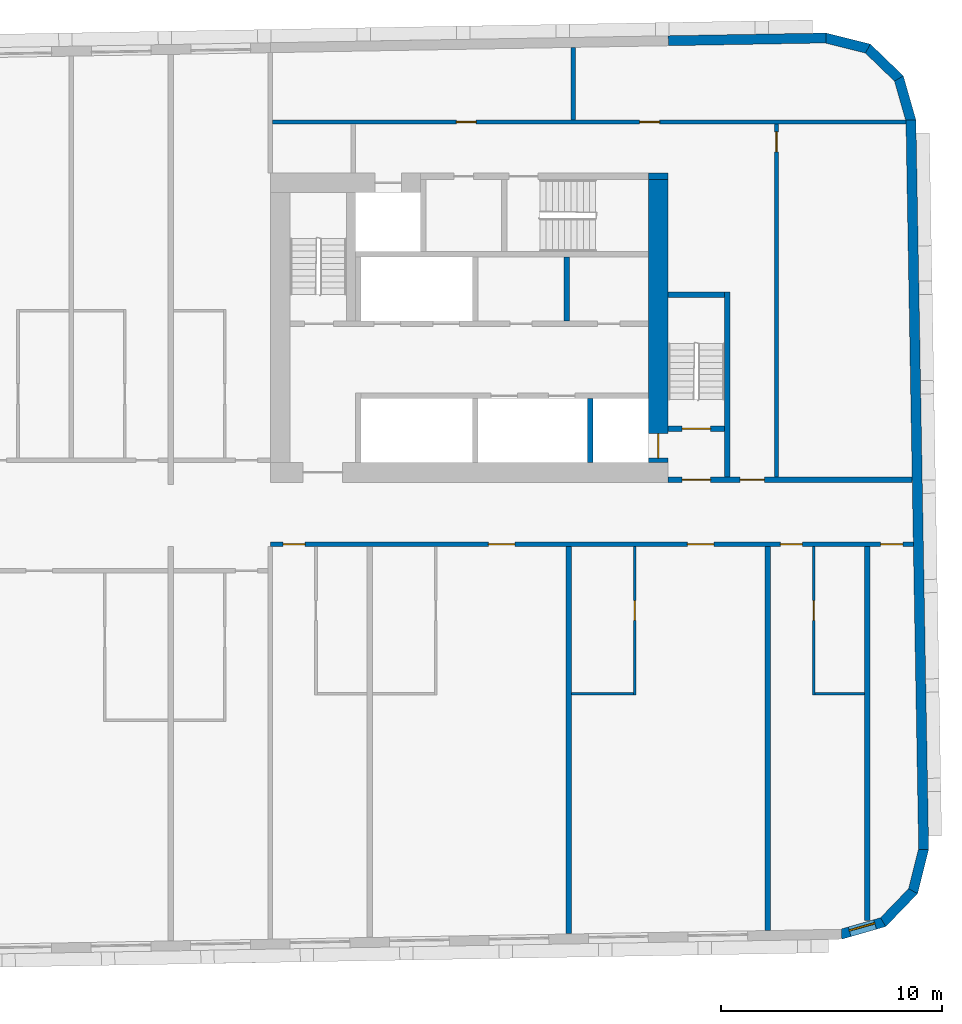
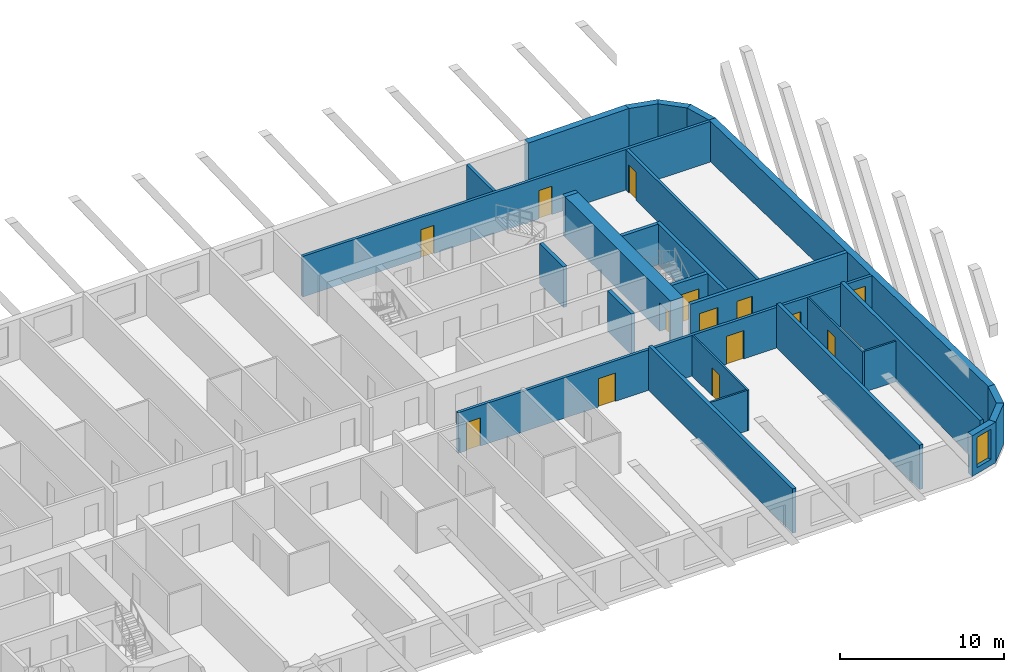
# One storey, part 7 of 12: 27 walls, 14 doors, 1 window, 15 openings.
"""IFC4 building model written with IfcOpenShell, lengths in metres."""

from ifc_helpers import new_model, si_unit, direction, frame, frame_2d, origin, place, context, subcontext, project, spatial, polyline, rectangle, outline, extrude, material, layer, layer_set, type_object, element, fill, save


model = new_model("IFC4")

# Units and contexts
model_context = context("Model", 3, precision=1e-05, world=origin(), true_north=direction((0.0, 1.0)))
body_context = subcontext(model_context, "Body", "Model", "MODEL_VIEW")
ifc_project = project(units=[si_unit("LENGTHUNIT", "METRE"), si_unit("AREAUNIT", "SQUARE_METRE"), si_unit("VOLUMEUNIT", "CUBIC_METRE"), si_unit("PLANEANGLEUNIT", "RADIAN"), si_unit("MASSUNIT", "GRAM", prefix="KILO")], contexts=[model_context])

# Site, building, storey
site_placement = place(None, origin())
site = spatial("IfcSite", under=ifc_project, at=site_placement, CompositionType="ELEMENT")
building_placement = place(site_placement, origin())
building = spatial("IfcBuilding", under=site, at=building_placement, Name="Kajstack Hotel Tower", CompositionType="ELEMENT")
storey_placement = place(building_placement, frame((0.0, 0.0, 217.699951171875)))
storey = spatial("IfcBuildingStorey", under=building, at=storey_placement, Name="L52", CompositionType="ELEMENT", Elevation=217.699951171875)

# Wall
ifc_material_1 = material(Name="Concrete C60/75", Category="concrete")
ifc_layer_1 = layer(ifc_material_1, 0.89990234375)
ifc_layer_set_1 = layer_set([ifc_layer_1], Name="Core wall 900")
wall_type_1 = type_object("IfcWallType", Name="Core wall 900", PredefinedType="SHEAR", material=ifc_layer_set_1)
wall_1_placement = place(storey_placement, frame((30.60009765625, 15.35009765625, 0.0), z_axis=(0.0, 0.0, 1.0), x_axis=(1.0, 0.0, 0.0)))
element("IfcWall", 1, at=wall_1_placement, inside=storey, type_object=wall_type_1, Name="Core wall E RSW", PredefinedType="SHEAR", context=body_context, shape_type="SweptSolid", body=[
    extrude(rectangle(XDim=0.89990234375, YDim=0.300048828125, at=frame_2d((0.449951171875, 0.0))), origin(), (0.0, 0.0, 1.0), 3.02001953125),
])

# Wall, opening, door
wall_2_placement = place(storey_placement, frame((31.050048828125, 2.39990234375, 0.0), z_axis=(0.0, 0.0, 1.0), x_axis=(0.0, 1.0, 0.0)))
wall_2 = element("IfcWall", 2, at=wall_2_placement, inside=storey, type_object=wall_type_1, Name="Core wall E RW", PredefinedType="SHEAR", context=body_context, shape_type="SweptSolid", body=[
    extrude(rectangle(XDim=12.800048828125, YDim=0.89990234375, at=frame_2d((6.39990234375, 0.0))), origin(), (0.0, 0.0, 1.0), 3.02001953125),
])
opening_1_placement = place(wall_2_placement, frame((0.199951171875, 0.0, 0.0)))
opening_1 = element("IfcOpeningElement", 3, at=opening_1_placement, cuts=wall_2, Name="Opening LD-FF2", PredefinedType="OPENING", context=body_context, shape_type="SweptSolid", body=[
    extrude(rectangle(XDim=1.10009765625, YDim=2.10009765625, at=frame_2d((0.550048828125, 1.050048828125))), frame((0.0, 0.4599609375, 0.0), z_axis=(0.0, -1.0, 0.0), x_axis=(1.0, 0.0, 0.0)), (0.0, 0.0, 1.0), 0.919921875),
])
ifc_material_2 = material(Name="Stainless steel", Category="steel")
door_type_1 = type_object("IfcDoorType", Name="Fire-fighting lift landing door 1100", OperationType="SLIDING_TO_LEFT", PredefinedType="DOOR", material=ifc_material_2)
door_1_placement = place(opening_1_placement, origin())
door_1 = element("IfcDoor", 4, at=door_1_placement, inside=storey, type_object=door_type_1, Name="Landing door FF2", OperationType="SLIDING_TO_LEFT", OverallHeight=2.10009765625, OverallWidth=1.10009765625, PredefinedType="DOOR", context=body_context, shape_type="SweptSolid", body=[
    extrude(rectangle(XDim=1.10009765625, YDim=2.10009765625, at=frame_2d((0.550048828125, 1.050048828125))), frame((0.0, 0.02490234375, 0.0), z_axis=(0.0, -1.0, 0.0), x_axis=(1.0, 0.0, 0.0)), (0.0, 0.0, 1.0), 0.050048828125),
])
fill(opening_1, door_1)

# Wall, openings, doors
ifc_material_3 = material(Name="Gypsum board on steel studs, mineral wool", Category="steel")
ifc_layer_2 = layer(ifc_material_3, 0.199951171875)
ifc_layer_set_2 = layer_set([ifc_layer_2], Name="Corridor wall 200")
wall_type_2 = type_object("IfcWallType", Name="Corridor wall 200", PredefinedType="PARTITIONING", material=ifc_layer_set_2)
wall_3_placement = place(storey_placement, frame((13.5, -1.300048828125, 0.0), z_axis=(0.0, 0.0, 1.0), x_axis=(1.0, 0.0, 0.0)))
wall_3 = element("IfcWall", 5, at=wall_3_placement, inside=storey, type_object=wall_type_2, Name="G-wall-L52-030", PredefinedType="PARTITIONING", context=body_context, shape_type="SweptSolid", body=[
    extrude(rectangle(XDim=29.091064453125, YDim=0.199951171875, at=frame_2d((14.54541015625, 0.0))), origin(), (0.0, 0.0, 1.0), 3.02001953125),
])
opening_2_placement = place(wall_3_placement, frame((0.574951171875, 0.0, 0.0)))
opening_2 = element("IfcOpeningElement", 6, at=opening_2_placement, cuts=wall_3, Name="Opening 52029", PredefinedType="OPENING", context=body_context, shape_type="SweptSolid", body=[
    extrude(rectangle(XDim=1.0, YDim=2.10009765625, at=frame_2d((0.5, 1.050048828125))), frame((0.0, 0.10986328125, 0.0), z_axis=(0.0, -1.0, 0.0), x_axis=(1.0, 0.0, 0.0)), (0.0, 0.0, 1.0), 0.219970703125),
])
opening_3_placement = place(wall_3_placement, frame((9.862060546875, 0.0, 0.0)))
opening_3 = element("IfcOpeningElement", 7, at=opening_3_placement, cuts=wall_3, Name="Opening 52031", PredefinedType="OPENING", context=body_context, shape_type="SweptSolid", body=[
    extrude(rectangle(XDim=1.199951171875, YDim=2.10009765625, at=frame_2d((0.60009765625, 1.050048828125))), frame((0.0, 0.10986328125, 0.0), z_axis=(0.0, -1.0, 0.0), x_axis=(1.0, 0.0, 0.0)), (0.0, 0.0, 1.0), 0.219970703125),
])
opening_4_placement = place(wall_3_placement, frame((18.862060546875, 0.0, 0.0)))
opening_4 = element("IfcOpeningElement", 8, at=opening_4_placement, cuts=wall_3, Name="Opening 52033", PredefinedType="OPENING", context=body_context, shape_type="SweptSolid", body=[
    extrude(rectangle(XDim=1.199951171875, YDim=2.10009765625, at=frame_2d((0.60009765625, 1.050048828125))), frame((0.0, 0.10986328125, 0.0), z_axis=(0.0, -1.0, 0.0), x_axis=(1.0, 0.0, 0.0)), (0.0, 0.0, 1.0), 0.219970703125),
])
opening_5_placement = place(wall_3_placement, frame((23.074951171875, 0.0, 0.0)))
opening_5 = element("IfcOpeningElement", 9, at=opening_5_placement, cuts=wall_3, Name="Opening 52035", PredefinedType="OPENING", context=body_context, shape_type="SweptSolid", body=[
    extrude(rectangle(XDim=1.0, YDim=2.10009765625, at=frame_2d((0.5, 1.050048828125))), frame((0.0, 0.10986328125, 0.0), z_axis=(0.0, -1.0, 0.0), x_axis=(1.0, 0.0, 0.0)), (0.0, 0.0, 1.0), 0.219970703125),
])
opening_6_placement = place(wall_3_placement, frame((27.611083984375, 0.0, 0.0)))
opening_6 = element("IfcOpeningElement", 10, at=opening_6_placement, cuts=wall_3, Name="Opening 52037", PredefinedType="OPENING", context=body_context, shape_type="SweptSolid", body=[
    extrude(rectangle(XDim=1.0, YDim=2.39990234375, at=frame_2d((0.5, 1.199951171875))), frame((0.0, 0.10986328125, 0.0), z_axis=(0.0, -1.0, 0.0), x_axis=(1.0, 0.0, 0.0)), (0.0, 0.0, 1.0), 0.219970703125),
])
ifc_material_4 = material(Name="Oak veneer on timber core, fire-rated leaf", Category="wood")
door_type_2 = type_object("IfcDoorType", Name="Flat entrance door 1000", OperationType="SINGLE_SWING_LEFT", PredefinedType="DOOR", material=ifc_material_4)
door_2_placement = place(opening_2_placement, origin())
door_2 = element("IfcDoor", 11, at=door_2_placement, inside=storey, type_object=door_type_2, Name="G-door-L52-29", OperationType="SINGLE_SWING_LEFT", OverallHeight=2.10009765625, OverallWidth=1.0, PredefinedType="DOOR", context=body_context, shape_type="SweptSolid", body=[
    extrude(rectangle(XDim=1.0, YDim=2.10009765625, at=frame_2d((0.5, 1.050048828125))), frame((0.0, 0.02490234375, 0.0), z_axis=(0.0, -1.0, 0.0), x_axis=(1.0, 0.0, 0.0)), (0.0, 0.0, 1.0), 0.050048828125),
])
fill(opening_2, door_2)
door_3_placement = place(opening_5_placement, origin())
door_3 = element("IfcDoor", 12, at=door_3_placement, inside=storey, type_object=door_type_2, Name="G-door-L52-35", OperationType="SINGLE_SWING_LEFT", OverallHeight=2.10009765625, OverallWidth=1.0, PredefinedType="DOOR", context=body_context, shape_type="SweptSolid", body=[
    extrude(rectangle(XDim=1.0, YDim=2.10009765625, at=frame_2d((0.5, 1.050048828125))), frame((0.0, 0.02490234375, 0.0), z_axis=(0.0, -1.0, 0.0), x_axis=(1.0, 0.0, 0.0)), (0.0, 0.0, 1.0), 0.050048828125),
])
fill(opening_5, door_3)
door_type_3 = type_object("IfcDoorType", Name="Flat entrance door 1200", OperationType="SINGLE_SWING_LEFT", PredefinedType="DOOR", material=ifc_material_4)
door_4_placement = place(opening_3_placement, origin())
door_4 = element("IfcDoor", 13, at=door_4_placement, inside=storey, type_object=door_type_3, Name="G-door-L52-31", OperationType="SINGLE_SWING_LEFT", OverallHeight=2.10009765625, OverallWidth=1.199951171875, PredefinedType="DOOR", context=body_context, shape_type="SweptSolid", body=[
    extrude(rectangle(XDim=1.199951171875, YDim=2.10009765625, at=frame_2d((0.60009765625, 1.050048828125))), frame((0.0, 0.02490234375, 0.0), z_axis=(0.0, -1.0, 0.0), x_axis=(1.0, 0.0, 0.0)), (0.0, 0.0, 1.0), 0.050048828125),
])
fill(opening_3, door_4)
door_5_placement = place(opening_4_placement, origin())
door_5 = element("IfcDoor", 14, at=door_5_placement, inside=storey, type_object=door_type_3, Name="G-door-L52-33", OperationType="SINGLE_SWING_LEFT", OverallHeight=2.10009765625, OverallWidth=1.199951171875, PredefinedType="DOOR", context=body_context, shape_type="SweptSolid", body=[
    extrude(rectangle(XDim=1.199951171875, YDim=2.10009765625, at=frame_2d((0.60009765625, 1.050048828125))), frame((0.0, 0.02490234375, 0.0), z_axis=(0.0, -1.0, 0.0), x_axis=(1.0, 0.0, 0.0)), (0.0, 0.0, 1.0), 0.050048828125),
])
fill(opening_4, door_5)
ifc_material_5 = material(Name="Steel-faced door leaf, fire-rated", Category="steel")
door_type_4 = type_object("IfcDoorType", Name="Store door 1000", OperationType="SINGLE_SWING_LEFT", PredefinedType="DOOR", material=ifc_material_5)
door_6_placement = place(opening_6_placement, origin())
door_6 = element("IfcDoor", 15, at=door_6_placement, inside=storey, type_object=door_type_4, Name="G-door-L52-37", OperationType="SINGLE_SWING_LEFT", OverallHeight=2.39990234375, OverallWidth=1.0, PredefinedType="DOOR", context=body_context, shape_type="SweptSolid", body=[
    extrude(rectangle(XDim=1.0, YDim=2.39990234375, at=frame_2d((0.5, 1.199951171875))), frame((0.0, 0.02490234375, 0.0), z_axis=(0.0, -1.0, 0.0), x_axis=(1.0, 0.0, 0.0)), (0.0, 0.0, 1.0), 0.050048828125),
])
fill(opening_6, door_6)

# Wall, opening, window
ifc_material_6 = material(Name="Terracotta-faced brick masonry", Category="masonry")
ifc_layer_3 = layer(ifc_material_6, 0.449951171875)
ifc_layer_set_3 = layer_set([ifc_layer_3], Name="EW-TERRA")
wall_type_3 = type_object("IfcWallType", Name="EW-TERRA", PredefinedType="SOLIDWALL", material=ifc_layer_set_3)
wall_4_placement = place(storey_placement, frame((39.290283203125, -18.952392578125, 0.0), z_axis=(0.0, 0.0, 1.0), x_axis=(0.961247584925, 0.275686562016, 0.0)))
wall_4 = element("IfcWall", 16, at=wall_4_placement, inside=storey, type_object=wall_type_3, Name="E-wall-L52-05-00", PredefinedType="SOLIDWALL", context=body_context, shape_type="SweptSolid", body=[
    extrude(outline(polyline([(0.0, -0.224853515625), (2.070556640625, -0.22509765625), (1.949951171875, 0.224853515625), (0.12060546875, 0.22509765625), (0.0, -0.224853515625)])), origin(), (0.0, 0.0, 1.0), 3.02001953125),
])
opening_7_placement = place(wall_4_placement, frame((0.435302734375, 0.0, 0.449951171875)))
opening_7 = element("IfcOpeningElement", 17, at=opening_7_placement, cuts=wall_4, Name="Opening W3", PredefinedType="OPENING", context=body_context, shape_type="SweptSolid", body=[
    extrude(rectangle(XDim=1.199951171875, YDim=2.25, at=frame_2d((0.60009765625, 1.125))), frame((0.0, 0.23486328125, 0.0), z_axis=(0.0, -1.0, 0.0), x_axis=(1.0, 0.0, 0.0)), (0.0, 0.0, 1.0), 0.469970703125),
])
ifc_material_7 = material(Name="Timber-aluminium window, triple glazed", Category="wood")
window_type = type_object("IfcWindowType", Name="WG3", PartitioningType="SINGLE_PANEL", PredefinedType="WINDOW", material=ifc_material_7)
window_placement = place(opening_7_placement, origin())
window = element("IfcWindow", 18, at=window_placement, inside=storey, type_object=window_type, Name="Window W3 L52-05", OverallHeight=2.25, OverallWidth=1.199951171875, PartitioningType="SINGLE_PANEL", PredefinedType="WINDOW", context=body_context, shape_type="SweptSolid", body=[
    extrude(rectangle(XDim=1.199951171875, YDim=2.25, at=frame_2d((0.60009765625, 1.125))), frame((0.0, 0.090087890625, 0.0), z_axis=(0.0, -1.0, 0.0), x_axis=(1.0, 0.0, 0.0)), (0.0, 0.0, 1.0), 0.06005859375),
])
fill(opening_7, window)

# Walls
wall_5_placement = place(storey_placement, frame((41.1806640625, -18.441650390625, 0.0), z_axis=(0.0, 0.0, 1.0), x_axis=(0.694678672846, 0.719320193998, 0.0)))
element("IfcWall", 19, at=wall_5_placement, inside=storey, type_object=wall_type_3, Name="E-wall-L52-06-00", PredefinedType="SOLIDWALL", context=body_context, shape_type="SweptSolid", body=[
    extrude(outline(polyline([(0.0, -0.22509765625), (2.07080078125, -0.224853515625), (1.9501953125, 0.22509765625), (0.12060546875, 0.22509765625), (0.0, -0.22509765625)])), origin(), (0.0, 0.0, 1.0), 3.02001953125),
])
wall_6_placement = place(storey_placement, frame((42.562744140625, -17.053955078125, 0.0), z_axis=(0.0, 0.0, 1.0), x_axis=(0.241841950319, 0.970315655375, 0.0)))
element("IfcWall", 20, at=wall_6_placement, inside=storey, type_object=wall_type_3, Name="E-wall-L52-07-00", PredefinedType="SOLIDWALL", context=body_context, shape_type="SweptSolid", body=[
    extrude(outline(polyline([(0.0, -0.224853515625), (2.070556640625, -0.22509765625), (1.949951171875, 0.224853515625), (0.12060546875, 0.22509765625), (0.0, -0.224853515625)])), origin(), (0.0, 0.0, 1.0), 3.02001953125),
])
wall_7_placement = place(storey_placement, frame((43.056884765625, -15.103271484375, 0.0), z_axis=(0.0, 0.0, 1.0), x_axis=(-0.017452408953, 0.999847695112, 0.0)))
element("IfcWall", 21, at=wall_7_placement, inside=storey, type_object=wall_type_3, Name="E-wall-L52-08-00", PredefinedType="SOLIDWALL", context=body_context, shape_type="SweptSolid", body=[
    extrude(rectangle(XDim=33.0, YDim=0.449951171875, at=frame_2d((16.5, 0.0))), origin(), (0.0, 0.0, 1.0), 3.02001953125),
])
wall_8_placement = place(storey_placement, frame((42.489501953125, 17.83349609375, 0.0), z_axis=(0.0, 0.0, 1.0), x_axis=(-0.275546368831, 0.961287781377, 0.0)))
element("IfcWall", 22, at=wall_8_placement, inside=storey, type_object=wall_type_3, Name="E-wall-L52-09-00", PredefinedType="SOLIDWALL", context=body_context, shape_type="SweptSolid", body=[
    extrude(outline(polyline([(0.0, -0.22509765625), (2.070556640625, -0.224853515625), (1.949951171875, 0.22509765625), (0.12060546875, 0.224853515625), (0.0, -0.22509765625)])), origin(), (0.0, 0.0, 1.0), 3.02001953125),
])
wall_9_placement = place(storey_placement, frame((41.97900390625, 19.72412109375, 0.0), z_axis=(0.0, 0.0, 1.0), x_axis=(-0.719379111448, 0.694617660308, 0.0)))
element("IfcWall", 23, at=wall_9_placement, inside=storey, type_object=wall_type_3, Name="E-wall-L52-10-00", PredefinedType="SOLIDWALL", context=body_context, shape_type="SweptSolid", body=[
    extrude(outline(polyline([(0.0, -0.224853515625), (2.070556640625, -0.22509765625), (1.949951171875, 0.224853515625), (0.12060546875, 0.22509765625), (0.0, -0.224853515625)])), origin(), (0.0, 0.0, 1.0), 3.02001953125),
])
wall_10_placement = place(storey_placement, frame((40.59130859375, 21.10595703125, 0.0), z_axis=(0.0, 0.0, 1.0), x_axis=(-0.970287979719, 0.241952963225, 0.0)))
element("IfcWall", 24, at=wall_10_placement, inside=storey, type_object=wall_type_3, Name="E-wall-L52-11-00", PredefinedType="SOLIDWALL", context=body_context, shape_type="SweptSolid", body=[
    extrude(outline(polyline([(0.0, -0.22509765625), (2.070556640625, -0.224853515625), (1.949951171875, 0.22509765625), (0.12060546875, 0.224853515625), (0.0, -0.22509765625)])), origin(), (0.0, 0.0, 1.0), 3.02001953125),
])
wall_11_placement = place(storey_placement, frame((38.640625, 21.600341796875, 0.0), z_axis=(0.0, 0.0, 1.0), x_axis=(-0.999847245074, -0.017478172627, 0.0)))
element("IfcWall", 25, at=wall_11_placement, inside=storey, type_object=wall_type_3, Name="E-wall-L52-12-00", PredefinedType="SOLIDWALL", context=body_context, shape_type="SweptSolid", body=[
    extrude(rectangle(XDim=7.1376953125, YDim=0.449951171875, at=frame_2d((3.56884765625, 0.0))), origin(), (0.0, 0.0, 1.0), 3.02001953125),
])

# Wall, opening, door
ifc_material_8 = material(Name="Gypsum board and tiled backer on steel studs", Category="steel")
ifc_layer_4 = layer(ifc_material_8, 0.125)
ifc_layer_set_4 = layer_set([ifc_layer_4], Name="En-suite wall 125")
wall_type_4 = type_object("IfcWallType", Name="En-suite wall 125", PredefinedType="PARTITIONING", material=ifc_layer_set_4)
wall_12_placement = place(storey_placement, frame((29.988037109375, -8.125, 0.0), z_axis=(0.0, 0.0, 1.0), x_axis=(0.0, 1.0, 0.0)))
wall_12 = element("IfcWall", 26, at=wall_12_placement, inside=storey, type_object=wall_type_4, Name="G-wall-L52-044", PredefinedType="PARTITIONING", context=body_context, shape_type="SweptSolid", body=[
    extrude(rectangle(XDim=6.72509765625, YDim=0.125, at=frame_2d((3.362548828125, 0.0))), origin(), (0.0, 0.0, 1.0), 3.02001953125),
])
opening_8_placement = place(wall_12_placement, frame((3.375, 0.0, 0.0)))
opening_8 = element("IfcOpeningElement", 27, at=opening_8_placement, cuts=wall_12, Name="Opening 52034", PredefinedType="OPENING", context=body_context, shape_type="SweptSolid", body=[
    extrude(rectangle(XDim=0.89990234375, YDim=2.10009765625, at=frame_2d((0.449951171875, 1.050048828125))), frame((0.0, 0.072509765625, 0.0), z_axis=(0.0, -1.0, 0.0), x_axis=(1.0, 0.0, 0.0)), (0.0, 0.0, 1.0), 0.14501953125),
])
ifc_material_9 = material(Name="Painted timber door leaf", Category="wood")
door_type_5 = type_object("IfcDoorType", Name="Room door 900", OperationType="SINGLE_SWING_LEFT", PredefinedType="DOOR", material=ifc_material_9)
door_7_placement = place(opening_8_placement, origin())
door_7 = element("IfcDoor", 28, at=door_7_placement, inside=storey, type_object=door_type_5, Name="G-door-L52-34", OperationType="SINGLE_SWING_LEFT", OverallHeight=2.10009765625, OverallWidth=0.89990234375, PredefinedType="DOOR", context=body_context, shape_type="SweptSolid", body=[
    extrude(rectangle(XDim=0.89990234375, YDim=2.10009765625, at=frame_2d((0.449951171875, 1.050048828125))), frame((0.0, 0.02490234375, 0.0), z_axis=(0.0, -1.0, 0.0), x_axis=(1.0, 0.0, 0.0)), (0.0, 0.0, 1.0), 0.050048828125),
])
fill(opening_8, door_7)

# Wall
wall_13_placement = place(storey_placement, frame((27.125, -8.06201171875, 0.0), z_axis=(0.0, 0.0, 1.0), x_axis=(1.0, 0.0, 0.0)))
element("IfcWall", 29, at=wall_13_placement, inside=storey, type_object=wall_type_4, Name="G-wall-L52-045", PredefinedType="PARTITIONING", context=body_context, shape_type="SweptSolid", body=[
    extrude(rectangle(XDim=2.800048828125, YDim=0.125, at=frame_2d((1.39990234375, 0.0))), origin(), (0.0, 0.0, 1.0), 3.02001953125),
])

# Wall, opening, door
wall_14_placement = place(storey_placement, frame((38.0869140625, -8.125, 0.0), z_axis=(0.0, 0.0, 1.0), x_axis=(0.0, 1.0, 0.0)))
wall_14 = element("IfcWall", 30, at=wall_14_placement, inside=storey, type_object=wall_type_4, Name="G-wall-L52-046", PredefinedType="PARTITIONING", context=body_context, shape_type="SweptSolid", body=[
    extrude(rectangle(XDim=6.72509765625, YDim=0.125, at=frame_2d((3.362548828125, 0.0))), origin(), (0.0, 0.0, 1.0), 3.02001953125),
])
opening_9_placement = place(wall_14_placement, frame((3.375, 0.0, 0.0)))
opening_9 = element("IfcOpeningElement", 31, at=opening_9_placement, cuts=wall_14, Name="Opening 52036", PredefinedType="OPENING", context=body_context, shape_type="SweptSolid", body=[
    extrude(rectangle(XDim=0.89990234375, YDim=2.10009765625, at=frame_2d((0.449951171875, 1.050048828125))), frame((0.0, 0.072509765625, 0.0), z_axis=(0.0, -1.0, 0.0), x_axis=(1.0, 0.0, 0.0)), (0.0, 0.0, 1.0), 0.14501953125),
])
door_8_placement = place(opening_9_placement, origin())
door_8 = element("IfcDoor", 32, at=door_8_placement, inside=storey, type_object=door_type_5, Name="G-door-L52-36", OperationType="SINGLE_SWING_RIGHT", OverallHeight=2.10009765625, OverallWidth=0.89990234375, PredefinedType="DOOR", context=body_context, shape_type="SweptSolid", body=[
    extrude(rectangle(XDim=0.89990234375, YDim=2.10009765625, at=frame_2d((0.449951171875, 1.050048828125))), frame((0.0, 0.02490234375, 0.0), z_axis=(0.0, -1.0, 0.0), x_axis=(1.0, 0.0, 0.0)), (0.0, 0.0, 1.0), 0.050048828125),
])
fill(opening_9, door_8)

# Walls
wall_15_placement = place(storey_placement, frame((38.14990234375, -8.06201171875, 0.0), z_axis=(0.0, 0.0, 1.0), x_axis=(1.0, 0.0, 0.0)))
element("IfcWall", 33, at=wall_15_placement, inside=storey, type_object=wall_type_4, Name="G-wall-L52-047", PredefinedType="PARTITIONING", context=body_context, shape_type="SweptSolid", body=[
    extrude(rectangle(XDim=2.22509765625, YDim=0.125, at=frame_2d((1.112548828125, 0.0))), origin(), (0.0, 0.0, 1.0), 3.02001953125),
])
ifc_material_10 = material(Name="Concrete C45/55", Category="concrete")
ifc_layer_5 = layer(ifc_material_10, 0.25)
ifc_layer_set_5 = layer_set([ifc_layer_5], Name="RC cross wall 250 C45/55")
wall_type_5 = type_object("IfcWallType", Name="RC cross wall 250 C45/55", PredefinedType="SHEAR", material=ifc_layer_set_5)
wall_16_placement = place(storey_placement, frame((27.0, -18.922119140625, 0.0), z_axis=(0.0, 0.0, 1.0), x_axis=(0.0, 1.0, 0.0)))
element("IfcWall", 34, at=wall_16_placement, inside=storey, type_object=wall_type_5, Name="S-wall-L52-11", PredefinedType="SHEAR", context=body_context, shape_type="SweptSolid", body=[
    extrude(rectangle(XDim=17.522216796875, YDim=0.25, at=frame_2d((8.76123046875, 0.0))), origin(), (0.0, 0.0, 1.0), 3.300048828125),
])
wall_17_placement = place(storey_placement, frame((36.0, -18.764892578125, 0.0), z_axis=(0.0, 0.0, 1.0), x_axis=(0.0, 1.0, 0.0)))
element("IfcWall", 35, at=wall_17_placement, inside=storey, type_object=wall_type_5, Name="S-wall-L52-12", PredefinedType="SHEAR", context=body_context, shape_type="SweptSolid", body=[
    extrude(rectangle(XDim=17.364990234375, YDim=0.25, at=frame_2d((8.6826171875, 0.0))), origin(), (0.0, 0.0, 1.0), 3.300048828125),
])
wall_18_placement = place(storey_placement, frame((40.5, -18.3251953125, 0.0), z_axis=(0.0, 0.0, 1.0), x_axis=(0.0, 1.0, 0.0)))
element("IfcWall", 36, at=wall_18_placement, inside=storey, type_object=wall_type_5, Name="S-wall-L52-13", PredefinedType="SHEAR", context=body_context, shape_type="SweptSolid", body=[
    extrude(rectangle(XDim=16.92529296875, YDim=0.25, at=frame_2d((8.462646484375, 0.0))), origin(), (0.0, 0.0, 1.0), 3.300048828125),
])
ifc_material_11 = material(Name="Concrete block masonry", Category="masonry")
ifc_layer_6 = layer(ifc_material_11, 0.25)
ifc_layer_set_6 = layer_set([ifc_layer_6], Name="Riser partition 250")
wall_type_6 = type_object("IfcWallType", Name="Riser partition 250", PredefinedType="PARTITIONING", material=ifc_layer_set_6)
wall_19_placement = place(storey_placement, frame((26.89990234375, 8.800048828125, 0.0), z_axis=(0.0, 0.0, 1.0), x_axis=(0.0, 1.0, 0.0)))
element("IfcWall", 37, at=wall_19_placement, inside=storey, type_object=wall_type_6, Name="Partition E BF0", PredefinedType="PARTITIONING", context=body_context, shape_type="SweptSolid", body=[
    extrude(rectangle(XDim=2.89990234375, YDim=0.25, at=frame_2d((1.449951171875, 0.0))), origin(), (0.0, 0.0, 1.0), 3.02001953125),
])

# Wall, openings, doors
ifc_layer_7 = layer(ifc_material_3, 0.199951171875)
ifc_layer_set_7 = layer_set([ifc_layer_7], Name="Service partition 200")
wall_type_7 = type_object("IfcWallType", Name="Service partition 200", PredefinedType="PARTITIONING", material=ifc_layer_set_7)
wall_20_placement = place(storey_placement, frame((31.5, 1.625, 0.0), z_axis=(0.0, 0.0, 1.0), x_axis=(1.0, 0.0, 0.0)))
wall_20 = element("IfcWall", 38, at=wall_20_placement, inside=storey, type_object=wall_type_7, Name="Partition E SN", PredefinedType="PARTITIONING", context=body_context, shape_type="SweptSolid", body=[
    extrude(rectangle(XDim=11.039794921875, YDim=0.25, at=frame_2d((5.52001953125, 0.0))), origin(), (0.0, 0.0, 1.0), 3.02001953125),
])
opening_10_placement = place(wall_20_placement, frame((0.625, 0.0, 0.0)))
opening_10 = element("IfcOpeningElement", 39, at=opening_10_placement, cuts=wall_20, Name="Opening 52E08", PredefinedType="OPENING", context=body_context, shape_type="SweptSolid", body=[
    extrude(rectangle(XDim=1.300048828125, YDim=2.10009765625, at=frame_2d((0.64990234375, 1.050048828125))), frame((0.0, 0.135009765625, 0.0), z_axis=(0.0, -1.0, 0.0), x_axis=(1.0, 0.0, 0.0)), (0.0, 0.0, 1.0), 0.27001953125),
])
opening_11_placement = place(wall_20_placement, frame((3.25, 0.0, 0.0)))
opening_11 = element("IfcOpeningElement", 40, at=opening_11_placement, cuts=wall_20, Name="Opening 52E10", PredefinedType="OPENING", context=body_context, shape_type="SweptSolid", body=[
    extrude(rectangle(XDim=1.10009765625, YDim=2.10009765625, at=frame_2d((0.550048828125, 1.050048828125))), frame((0.0, 0.135009765625, 0.0), z_axis=(0.0, -1.0, 0.0), x_axis=(1.0, 0.0, 0.0)), (0.0, 0.0, 1.0), 0.27001953125),
])
ifc_material_12 = material(Name="Steel leaf, fire-rated", Category="steel")
door_type_6 = type_object("IfcDoorType", Name="Fire lobby door 1300", OperationType="SINGLE_SWING_LEFT", PredefinedType="DOOR", material=ifc_material_12)
door_9_placement = place(opening_10_placement, origin())
door_9 = element("IfcDoor", 41, at=door_9_placement, inside=storey, type_object=door_type_6, Name="Door 52E08", OperationType="SINGLE_SWING_LEFT", OverallHeight=2.10009765625, OverallWidth=1.300048828125, PredefinedType="DOOR", context=body_context, shape_type="SweptSolid", body=[
    extrude(rectangle(XDim=1.300048828125, YDim=2.10009765625, at=frame_2d((0.64990234375, 1.050048828125))), frame((0.0, 0.02490234375, 0.0), z_axis=(0.0, -1.0, 0.0), x_axis=(1.0, 0.0, 0.0)), (0.0, 0.0, 1.0), 0.050048828125),
])
fill(opening_10, door_9)
ifc_material_13 = material(Name="Timber leaf, fire-rated", Category="wood")
door_type_7 = type_object("IfcDoorType", Name="Service corridor door 1100", OperationType="SINGLE_SWING_LEFT", PredefinedType="DOOR", material=ifc_material_13)
door_10_placement = place(opening_11_placement, origin())
door_10 = element("IfcDoor", 42, at=door_10_placement, inside=storey, type_object=door_type_7, Name="Door 52E10", OperationType="SINGLE_SWING_LEFT", OverallHeight=2.10009765625, OverallWidth=1.10009765625, PredefinedType="DOOR", context=body_context, shape_type="SweptSolid", body=[
    extrude(rectangle(XDim=1.10009765625, YDim=2.10009765625, at=frame_2d((0.550048828125, 1.050048828125))), frame((0.0, 0.02490234375, 0.0), z_axis=(0.0, -1.0, 0.0), x_axis=(1.0, 0.0, 0.0)), (0.0, 0.0, 1.0), 0.050048828125),
])
fill(opening_11, door_10)

# Wall, opening, door
wall_21_placement = place(storey_placement, frame((36.39990234375, 1.75, 0.0), z_axis=(0.0, 0.0, 1.0), x_axis=(0.0, 1.0, 0.0)))
wall_21 = element("IfcWall", 43, at=wall_21_placement, inside=storey, type_object=wall_type_7, Name="Partition E WRE", PredefinedType="PARTITIONING", context=body_context, shape_type="SweptSolid", body=[
    extrude(rectangle(XDim=15.949951171875, YDim=0.199951171875, at=frame_2d((7.97509765625, 0.0))), origin(), (0.0, 0.0, 1.0), 3.02001953125),
])
opening_12_placement = place(wall_21_placement, frame((14.699951171875, 0.0, 0.0)))
opening_12 = element("IfcOpeningElement", 44, at=opening_12_placement, cuts=wall_21, Name="Opening 52E18", PredefinedType="OPENING", context=body_context, shape_type="SweptSolid", body=[
    extrude(rectangle(XDim=0.89990234375, YDim=2.10009765625, at=frame_2d((0.449951171875, 1.050048828125))), frame((0.0, 0.10986328125, 0.0), z_axis=(0.0, -1.0, 0.0), x_axis=(1.0, 0.0, 0.0)), (0.0, 0.0, 1.0), 0.219970703125),
])
door_type_8 = type_object("IfcDoorType", Name="Service door 900", OperationType="SINGLE_SWING_LEFT", PredefinedType="DOOR", material=ifc_material_13)
door_11_placement = place(opening_12_placement, origin())
door_11 = element("IfcDoor", 45, at=door_11_placement, inside=storey, type_object=door_type_8, Name="Door 52E18", OperationType="SINGLE_SWING_RIGHT", OverallHeight=2.10009765625, OverallWidth=0.89990234375, PredefinedType="DOOR", context=body_context, shape_type="SweptSolid", body=[
    extrude(rectangle(XDim=0.89990234375, YDim=2.10009765625, at=frame_2d((0.449951171875, 1.050048828125))), frame((0.0, 0.02490234375, 0.0), z_axis=(0.0, -1.0, 0.0), x_axis=(1.0, 0.0, 0.0)), (0.0, 0.0, 1.0), 0.050048828125),
])
fill(opening_12, door_11)

# Wall, openings, doors
wall_22_placement = place(storey_placement, frame((13.60009765625, 17.800048828125, 0.0), z_axis=(0.0, 0.0, 1.0), x_axis=(1.0, 0.0, 0.0)))
wall_22 = element("IfcWall", 46, at=wall_22_placement, inside=storey, type_object=wall_type_7, Name="Partition E SLN", PredefinedType="PARTITIONING", context=body_context, shape_type="SweptSolid", body=[
    extrude(rectangle(XDim=28.657470703125, YDim=0.199951171875, at=frame_2d((14.32861328125, 0.0))), origin(), (0.0, 0.0, 1.0), 3.02001953125),
])
opening_13_placement = place(wall_22_placement, frame((16.612548828125, 0.0, 0.0)))
opening_13 = element("IfcOpeningElement", 47, at=opening_13_placement, cuts=wall_22, Name="Opening 52E16", PredefinedType="OPENING", context=body_context, shape_type="SweptSolid", body=[
    extrude(rectangle(XDim=0.89990234375, YDim=2.10009765625, at=frame_2d((0.449951171875, 1.050048828125))), frame((0.0, 0.10986328125, 0.0), z_axis=(0.0, -1.0, 0.0), x_axis=(1.0, 0.0, 0.0)), (0.0, 0.0, 1.0), 0.219970703125),
])
opening_14_placement = place(wall_22_placement, frame((8.3125, 0.0, 0.0)))
opening_14 = element("IfcOpeningElement", 48, at=opening_14_placement, cuts=wall_22, Name="Opening 52E17", PredefinedType="OPENING", context=body_context, shape_type="SweptSolid", body=[
    extrude(rectangle(XDim=0.89990234375, YDim=2.10009765625, at=frame_2d((0.449951171875, 1.050048828125))), frame((0.0, 0.10986328125, 0.0), z_axis=(0.0, -1.0, 0.0), x_axis=(1.0, 0.0, 0.0)), (0.0, 0.0, 1.0), 0.219970703125),
])
door_12_placement = place(opening_13_placement, origin())
door_12 = element("IfcDoor", 49, at=door_12_placement, inside=storey, type_object=door_type_8, Name="Door 52E16", OperationType="SINGLE_SWING_LEFT", OverallHeight=2.10009765625, OverallWidth=0.89990234375, PredefinedType="DOOR", context=body_context, shape_type="SweptSolid", body=[
    extrude(rectangle(XDim=0.89990234375, YDim=2.10009765625, at=frame_2d((0.449951171875, 1.050048828125))), frame((0.0, 0.02490234375, 0.0), z_axis=(0.0, -1.0, 0.0), x_axis=(1.0, 0.0, 0.0)), (0.0, 0.0, 1.0), 0.050048828125),
])
fill(opening_13, door_12)
door_13_placement = place(opening_14_placement, origin())
door_13 = element("IfcDoor", 50, at=door_13_placement, inside=storey, type_object=door_type_8, Name="Door 52E17", OperationType="SINGLE_SWING_LEFT", OverallHeight=2.10009765625, OverallWidth=0.89990234375, PredefinedType="DOOR", context=body_context, shape_type="SweptSolid", body=[
    extrude(rectangle(XDim=0.89990234375, YDim=2.10009765625, at=frame_2d((0.449951171875, 1.050048828125))), frame((0.0, 0.02490234375, 0.0), z_axis=(0.0, -1.0, 0.0), x_axis=(1.0, 0.0, 0.0)), (0.0, 0.0, 1.0), 0.050048828125),
])
fill(opening_14, door_13)

# Walls
wall_23_placement = place(storey_placement, frame((27.199951171875, 17.89990234375, 0.0), z_axis=(0.0, 0.0, 1.0), x_axis=(0.0, 1.0, 0.0)))
element("IfcWall", 51, at=wall_23_placement, inside=storey, type_object=wall_type_7, Name="Partition E SLP0", PredefinedType="PARTITIONING", context=body_context, shape_type="SweptSolid", body=[
    extrude(rectangle(XDim=3.27587890625, YDim=0.199951171875, at=frame_2d((1.637939453125, 0.0))), origin(), (0.0, 0.0, 1.0), 3.02001953125),
])
ifc_material_14 = material(Name="Concrete C50/60", Category="concrete")
ifc_layer_8 = layer(ifc_material_14, 0.25)
ifc_layer_set_8 = layer_set([ifc_layer_8], Name="Shaft wall 250")
wall_type_8 = type_object("IfcWallType", Name="Shaft wall 250", PredefinedType="SHEAR", material=ifc_layer_set_8)
wall_24_placement = place(storey_placement, frame((27.97509765625, 2.39990234375, 0.0), z_axis=(0.0, 0.0, 1.0), x_axis=(0.0, 1.0, 0.0)))
element("IfcWall", 52, at=wall_24_placement, inside=storey, type_object=wall_type_8, Name="Core wall E AP0", PredefinedType="SHEAR", context=body_context, shape_type="SweptSolid", body=[
    extrude(rectangle(XDim=2.900146484375, YDim=0.25, at=frame_2d((1.4501953125, 0.0))), origin(), (0.0, 0.0, 1.0), 3.02001953125),
])

# Wall, opening, door
ifc_material_15 = material(Name="Concrete C40/50", Category="concrete")
ifc_layer_9 = layer(ifc_material_15, 0.25)
ifc_layer_set_9 = layer_set([ifc_layer_9], Name="Stair enclosure wall 250")
wall_type_9 = type_object("IfcWallType", Name="Stair enclosure wall 250", PredefinedType="SHEAR", material=ifc_layer_set_9)
wall_25_placement = place(storey_placement, frame((31.5, 3.925048828125, 0.0), z_axis=(0.0, 0.0, 1.0), x_axis=(1.0, 0.0, 0.0)))
wall_25 = element("IfcWall", 53, at=wall_25_placement, inside=storey, type_object=wall_type_9, Name="Core wall E W1N", PredefinedType="SHEAR", context=body_context, shape_type="SweptSolid", body=[
    extrude(rectangle(XDim=2.550048828125, YDim=0.25, at=frame_2d((1.27490234375, 0.0))), origin(), (0.0, 0.0, 1.0), 3.02001953125),
])
opening_15_placement = place(wall_25_placement, frame((0.625, 0.0, 0.0)))
opening_15 = element("IfcOpeningElement", 54, at=opening_15_placement, cuts=wall_25, Name="Opening 52E09", PredefinedType="OPENING", context=body_context, shape_type="SweptSolid", body=[
    extrude(rectangle(XDim=1.300048828125, YDim=2.10009765625, at=frame_2d((0.64990234375, 1.050048828125))), frame((0.0, 0.135009765625, 0.0), z_axis=(0.0, -1.0, 0.0), x_axis=(1.0, 0.0, 0.0)), (0.0, 0.0, 1.0), 0.27001953125),
])
door_type_9 = type_object("IfcDoorType", Name="Stair door 1300", OperationType="SINGLE_SWING_LEFT", PredefinedType="DOOR", material=ifc_material_12)
door_14_placement = place(opening_15_placement, origin())
door_14 = element("IfcDoor", 55, at=door_14_placement, inside=storey, type_object=door_type_9, Name="Door 52E09", OperationType="SINGLE_SWING_LEFT", OverallHeight=2.10009765625, OverallWidth=1.300048828125, PredefinedType="DOOR", context=body_context, shape_type="SweptSolid", body=[
    extrude(rectangle(XDim=1.300048828125, YDim=2.10009765625, at=frame_2d((0.64990234375, 1.050048828125))), frame((0.0, 0.02490234375, 0.0), z_axis=(0.0, -1.0, 0.0), x_axis=(1.0, 0.0, 0.0)), (0.0, 0.0, 1.0), 0.050048828125),
])
fill(opening_15, door_14)

# Walls
wall_26_placement = place(storey_placement, frame((34.175048828125, 1.75, 0.0), z_axis=(0.0, 0.0, 1.0), x_axis=(0.0, 1.0, 0.0)))
element("IfcWall", 56, at=wall_26_placement, inside=storey, type_object=wall_type_9, Name="Core wall E W1W", PredefinedType="SHEAR", context=body_context, shape_type="SweptSolid", body=[
    extrude(rectangle(XDim=8.35009765625, YDim=0.25, at=frame_2d((4.175048828125, 0.0))), origin(), (0.0, 0.0, 1.0), 3.02001953125),
])
wall_27_placement = place(storey_placement, frame((31.5, 9.97509765625, 0.0), z_axis=(0.0, 0.0, 1.0), x_axis=(1.0, 0.0, 0.0)))
element("IfcWall", 57, at=wall_27_placement, inside=storey, type_object=wall_type_9, Name="Core wall E W1S", PredefinedType="SHEAR", context=body_context, shape_type="SweptSolid", body=[
    extrude(rectangle(XDim=2.550048828125, YDim=0.25, at=frame_2d((1.27490234375, 0.0))), origin(), (0.0, 0.0, 1.0), 3.02001953125),
])

save(model, "model.ifc")
